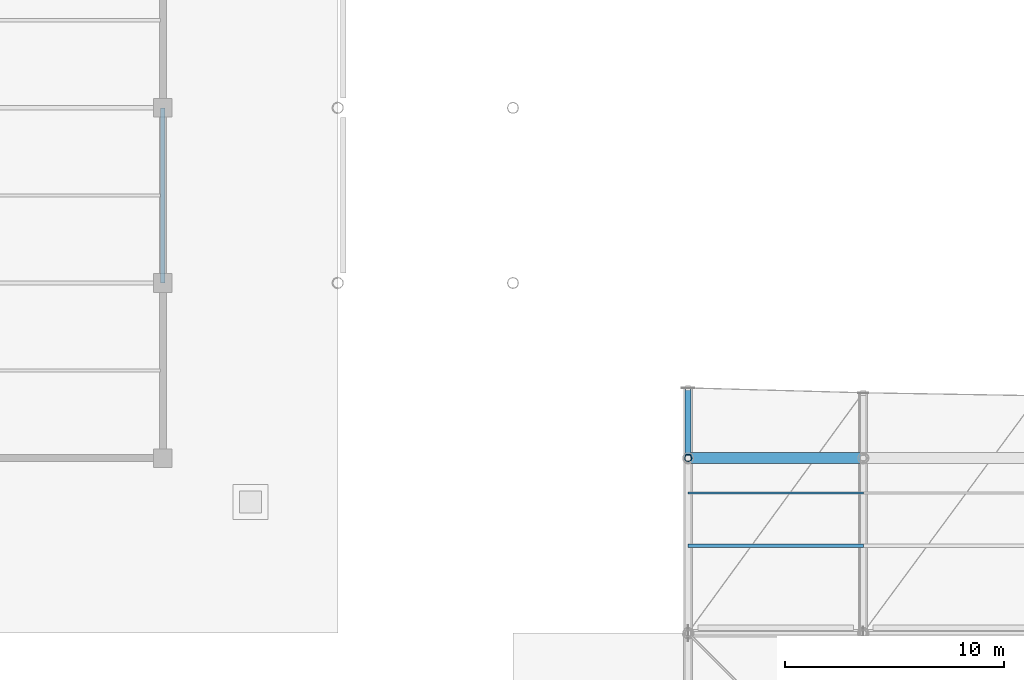
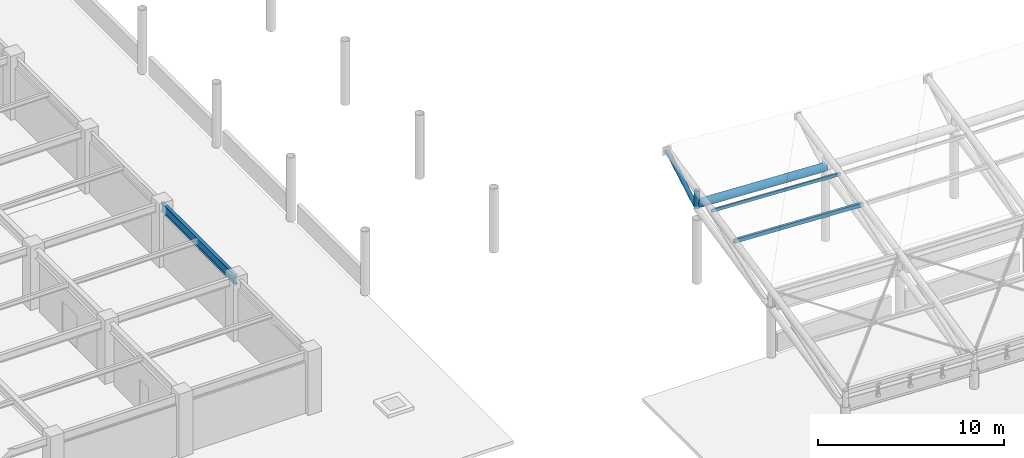
# One storey, part 21 of 78: 4 members, 2 beams.
"""IFC4 building model written with IfcOpenShell, lengths in metres."""

from ifc_helpers import new_model, si_unit, direction, frame, origin, origin_2d, place, context, subcontext, project, spatial, hollow_rectangle, hollow_circle, i_section, extrude, material, material_profile, profile_set, type_object, element, save


model = new_model("IFC4")

# Units and contexts
model_context = context("Model", 3, precision=1e-05, world=origin(), true_north=direction((0.0, 1.0)))
body_context = subcontext(model_context, "Body", "Model", "MODEL_VIEW")
ifc_project = project(units=[si_unit("LENGTHUNIT", "METRE"), si_unit("AREAUNIT", "SQUARE_METRE"), si_unit("VOLUMEUNIT", "CUBIC_METRE"), si_unit("PLANEANGLEUNIT", "RADIAN"), si_unit("MASSUNIT", "GRAM", prefix="KILO")], contexts=[model_context])

# Site, building, storey
site_placement = place(None, origin())
site = spatial("IfcSite", under=ifc_project, at=site_placement, CompositionType="ELEMENT")
building_placement = place(site_placement, origin())
building = spatial("IfcBuilding", under=site, at=building_placement, Name="Haebicheon Civic Stadium", CompositionType="ELEMENT")
storey_placement = place(building_placement, frame((0.0, 0.0, 18.60009765625)))
storey = spatial("IfcBuildingStorey", under=building, at=storey_placement, Name="L05", CompositionType="ELEMENT", Elevation=18.60009765625)

# Members
ifc_material_1 = material(Name="White painted steel SM490", Category="steel")
ifc_material_profile_1 = material_profile(ifc_material_1, hollow_circle(Radius=0.1337890625, WallThickness=0.011962890625, at=origin_2d()), Name="CHS-267.4x12.0")
ifc_profile_set_1 = profile_set([ifc_material_profile_1], Name="White painted steel SM490")
member_type_1 = type_object("IfcMemberType", Name="BRC-CHS267", PredefinedType="BRACE", material=ifc_profile_set_1)
member_1_placement = place(storey_placement, frame((80.0, 40.12109375, 4.947021484375), z_axis=(0.0, 0.867212955161, 0.497937436232), x_axis=(-1.0, 0.0, 0.0)))
element("IfcMember", 1, at=member_1_placement, inside=storey, type_object=member_type_1, material=ifc_profile_set_1, Name="BR267 diagonal brace CAN-SOUTH truss 1 tip", PredefinedType="BRACE", context=body_context, shape_type="SweptSolid", body=[
    extrude(hollow_circle(Radius=0.1337890625, WallThickness=0.011962890625, at=origin_2d()), origin(), (0.0, 0.0, 1.0), 3.55029296875),
])
ifc_material_2 = material(Name="White painted steel SM490", Category="steel")
ifc_material_profile_2 = material_profile(ifc_material_2, hollow_rectangle(XDim=0.10009765625, YDim=0.199951171875, WallThickness=0.008056640625, at=origin_2d()), Name="RHS-200x100x8.0")
ifc_profile_set_2 = profile_set([ifc_material_profile_2], Name="White painted steel SM490")
member_type_2 = type_object("IfcMemberType", Name="PRL-RHS200", PredefinedType="RAFTER", material=ifc_profile_set_2)
member_2_placement = place(storey_placement, frame((80.0, 38.39990234375, 5.640869140625), z_axis=(0.998949723901, 0.0, -0.045819745942), x_axis=(0.0, 1.0, 0.0)))
element("IfcMember", 2, at=member_2_placement, inside=storey, type_object=member_type_2, material=ifc_profile_set_2, Name="CAN-SOUTH canopy purlin bay 1 (90%)", PredefinedType="RAFTER", context=body_context, shape_type="SweptSolid", body=[
    extrude(hollow_rectangle(XDim=0.10009765625, YDim=0.199951171875, WallThickness=0.008056640625, at=origin_2d()), origin(), (0.0, 0.0, 1.0), 8.00830078125),
])
ifc_material_3 = material(Name="White painted steel SM490", Category="steel")
ifc_material_profile_3 = material_profile(ifc_material_3, hollow_rectangle(XDim=0.14990234375, YDim=0.25, WallThickness=0.010009765625, at=origin_2d()), Name="RHS-250x150x10.0")
ifc_profile_set_3 = profile_set([ifc_material_profile_3], Name="White painted steel SM490")
member_type_3 = type_object("IfcMemberType", Name="PRL-RHS250", PredefinedType="PURLIN", material=ifc_profile_set_3)
member_3_placement = place(storey_placement, frame((80.0, 36.0, 5.099853515625), z_axis=(0.998949723901, 0.0, -0.045819745942), x_axis=(0.0, 1.0, 0.0)))
element("IfcMember", 3, at=member_3_placement, inside=storey, type_object=member_type_3, material=ifc_profile_set_3, Name="CAN-SOUTH canopy purlin bay 1 (75%)", PredefinedType="PURLIN", context=body_context, shape_type="SweptSolid", body=[
    extrude(hollow_rectangle(XDim=0.14990234375, YDim=0.25, WallThickness=0.010009765625, at=origin_2d()), origin(), (0.0, 0.0, 1.0), 8.00830078125),
])

# Beams
ifc_material_4 = material(Name="White painted steel SM490", Category="steel")
ifc_material_profile_4 = material_profile(ifc_material_4, hollow_circle(Radius=0.25390625, WallThickness=0.02490234375, at=origin_2d()), Name="CHS-508.0x25.0")
ifc_profile_set_4 = profile_set([ifc_material_profile_4], Name="White painted steel SM490")
beam_type_1 = type_object("IfcBeamType", Name="RB-ST-CHS508", PredefinedType="USERDEFINED", material=ifc_profile_set_4)
beam_1_placement = place(storey_placement, frame((80.0, 40.0, 5.126953125), z_axis=(0.998949723901, 0.0, -0.045819745942), x_axis=(0.0, 1.0, 0.0)))
element("IfcBeam", 4, at=beam_1_placement, inside=storey, type_object=beam_type_1, material=ifc_profile_set_4, Name="CAN-SOUTH polygonal ring beam RB-PIR bay 1", ObjectType="RING BEAM", PredefinedType="USERDEFINED", context=body_context, shape_type="SweptSolid", body=[
    extrude(hollow_circle(Radius=0.25390625, WallThickness=0.02490234375, at=origin_2d()), origin(), (0.0, 0.0, 1.0), 8.00830078125),
])
ifc_material_5 = material(Name="Steel SM355 (S355)", Category="steel")
ifc_material_profile_5 = material_profile(ifc_material_5, i_section(OverallWidth=0.199951171875, OverallDepth=0.60009765625, WebThickness=0.010986328125, FlangeThickness=0.01708984375, at=origin_2d()), Name="H-600x200x11x17")
ifc_profile_set_5 = profile_set([ifc_material_profile_5], Name="Steel SM355 (S355)")
beam_type_2 = type_object("IfcBeamType", Name="SPD-ST-H600B", PredefinedType="SPANDREL", material=ifc_profile_set_5)
beam_2_placement = place(storey_placement, frame((56.0, 48.0, 3.679931640625), z_axis=(0.0, 1.0, 0.0), x_axis=(-1.0, 0.0, 0.0)))
element("IfcBeam", 5, at=beam_2_placement, inside=storey, type_object=beam_type_2, material=ifc_profile_set_5, Name="L05 girder 8/G-H", PredefinedType="SPANDREL", context=body_context, shape_type="SweptSolid", body=[
    extrude(i_section(OverallWidth=0.199951171875, OverallDepth=0.60009765625, WebThickness=0.010986328125, FlangeThickness=0.01708984375, at=origin_2d()), origin(), (0.0, 0.0, 1.0), 8.0),
])

# Member
ifc_material_6 = material(Name="White painted steel SM490", Category="steel")
ifc_material_profile_6 = material_profile(ifc_material_6, hollow_circle(Radius=0.1591796875, WallThickness=0.013916015625, at=origin_2d()), Name="CHS-318.5x14.0")
ifc_profile_set_6 = profile_set([ifc_material_profile_6], Name="White painted steel SM490")
member_type_4 = type_object("IfcMemberType", Name="STR-CHS318", PredefinedType="STRUT", material=ifc_profile_set_6)
member_4_placement = place(storey_placement, frame((80.0, 40.0, 4.876953125), z_axis=(0.0, 0.0, 1.0), x_axis=(1.0, 0.0, 0.0)))
element("IfcMember", 6, at=member_4_placement, inside=storey, type_object=member_type_4, material=ifc_profile_set_6, Name="ST318 web strut CAN-SOUTH truss 1 VR", PredefinedType="STRUT", context=body_context, shape_type="SweptSolid", body=[
    extrude(hollow_circle(Radius=0.1591796875, WallThickness=0.013916015625, at=origin_2d()), origin(), (0.0, 0.0, 1.0), 1.14990234375),
])

save(model, "model.ifc")
